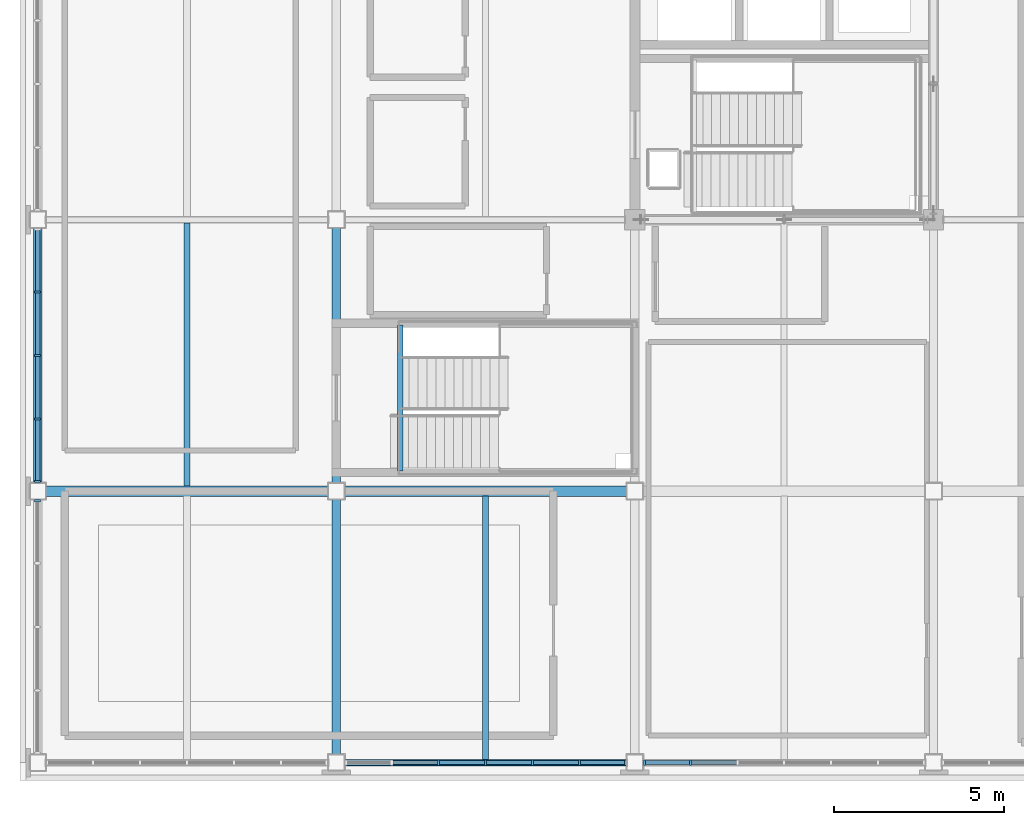
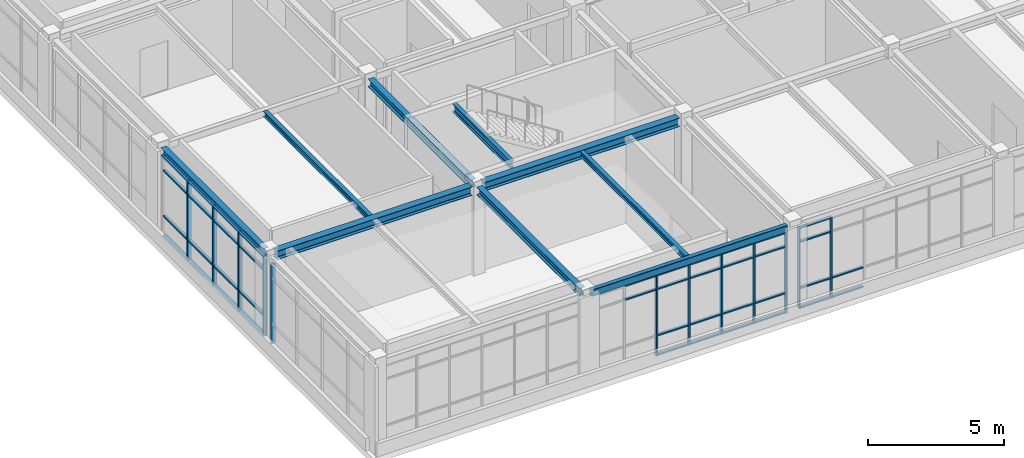
# One storey, part 5 of 45: 52 members, 9 beams, 4 elements without a shape of their own.
"""IFC4 building model written with IfcOpenShell, lengths in metres."""

from ifc_helpers import new_model, si_unit, direction, frame, origin, origin_2d, place, context, subcontext, project, spatial, rectangle, hollow_rectangle, i_section, extrude, material, material_profile, profile_set, type_object, element, aggregate, save


model = new_model("IFC4")

# Units and contexts
model_context = context("Model", 3, precision=1e-05, world=origin(), true_north=direction((0.0, 1.0)))
body_context = subcontext(model_context, "Body", "Model", "MODEL_VIEW")
ifc_project = project(units=[si_unit("LENGTHUNIT", "METRE"), si_unit("AREAUNIT", "SQUARE_METRE"), si_unit("VOLUMEUNIT", "CUBIC_METRE"), si_unit("PLANEANGLEUNIT", "RADIAN"), si_unit("MASSUNIT", "GRAM", prefix="KILO")], contexts=[model_context])

# Site, building, storey
site_placement = place(None, origin())
site = spatial("IfcSite", under=ifc_project, at=site_placement, CompositionType="ELEMENT")
building_placement = place(site_placement, origin())
building = spatial("IfcBuilding", under=site, at=building_placement, Name="Zhaolan Boulevard Law Courts", CompositionType="ELEMENT")
storey_placement = place(building_placement, frame((0.0, 0.0, 24.60009765625)))
storey = spatial("IfcBuildingStorey", under=building, at=storey_placement, Name="L05", CompositionType="ELEMENT", Elevation=24.60009765625)

# Curtain wall, members
ifc_material_1 = material(Name="Thermally broken aluminium and low-E glazing", Category="aluminium")
curtain_wall_type_1 = type_object("IfcCurtainWallType", Name="CURTAIN WALL M11", PredefinedType="USERDEFINED", material=ifc_material_1)
curtain_wall_1_placement = place(storey_placement, origin())
curtain_wall_1 = element("IfcCurtainWall", 1, at=curtain_wall_1_placement, inside=storey, type_object=curtain_wall_type_1, Name="Curtain Wall CW-L05-203", ObjectType="CURTAIN WALL", PredefinedType="USERDEFINED")
ifc_material_2 = material(Name="Fluorocarbon-coated aluminium 6063-T6", Category="aluminium")
ifc_material_profile_1 = material_profile(ifc_material_2, rectangle(XDim=0.159912109375, YDim=0.06005859375, at=origin_2d()), Name="AL60x160")
ifc_profile_set_1 = profile_set([ifc_material_profile_1], Name="Fluorocarbon-coated aluminium 6063-T6")
member_type_1 = type_object("IfcMemberType", Name="CWMULLION 60X160", PredefinedType="MULLION", material=ifc_profile_set_1)
member_1_placement = place(storey_placement, frame((11.8173828125, 30.0, 0.0), z_axis=(0.0, 0.0, 1.0), x_axis=(0.0, 1.0, 0.0)))
member_1 = element("IfcMember", 2, at=member_1_placement, type_object=member_type_1, Name="CW-L05-203 mullion 3", PredefinedType="MULLION", context=body_context, shape_type="SweptSolid", body=[
    extrude(rectangle(XDim=0.159912109375, YDim=0.06005859375, at=origin_2d()), origin(), (0.0, 0.0, 1.0), 3.6328125),
])
member_2_placement = place(storey_placement, frame((13.199951171875, 30.0, 0.0), z_axis=(0.0, 0.0, 1.0), x_axis=(0.0, 1.0, 0.0)))
member_2 = element("IfcMember", 3, at=member_2_placement, type_object=member_type_1, Name="CW-L05-203 mullion 4", PredefinedType="MULLION", context=body_context, shape_type="SweptSolid", body=[
    extrude(rectangle(XDim=0.159912109375, YDim=0.06005859375, at=origin_2d()), origin(), (0.0, 0.0, 1.0), 3.6328125),
])
member_3_placement = place(storey_placement, frame((14.582763671875, 30.0, 0.0), z_axis=(0.0, 0.0, 1.0), x_axis=(0.0, 1.0, 0.0)))
member_3 = element("IfcMember", 4, at=member_3_placement, type_object=member_type_1, Name="CW-L05-203 mullion 5", PredefinedType="MULLION", context=body_context, shape_type="SweptSolid", body=[
    extrude(rectangle(XDim=0.159912109375, YDim=0.06005859375, at=origin_2d()), origin(), (0.0, 0.0, 1.0), 3.6328125),
])
member_4_placement = place(storey_placement, frame((15.96533203125, 30.0, 0.0), z_axis=(0.0, 0.0, 1.0), x_axis=(0.0, 1.0, 0.0)))
member_4 = element("IfcMember", 5, at=member_4_placement, type_object=member_type_1, Name="CW-L05-203 mullion 6", PredefinedType="MULLION", context=body_context, shape_type="SweptSolid", body=[
    extrude(rectangle(XDim=0.159912109375, YDim=0.06005859375, at=origin_2d()), origin(), (0.0, 0.0, 1.0), 3.6328125),
])
member_5_placement = place(storey_placement, frame((17.318115234375, 30.0, 0.0), z_axis=(0.0, 0.0, 1.0), x_axis=(0.0, 1.0, 0.0)))
member_5 = element("IfcMember", 6, at=member_5_placement, type_object=member_type_1, Name="CW-L05-203 mullion 7", PredefinedType="MULLION", context=body_context, shape_type="SweptSolid", body=[
    extrude(rectangle(XDim=0.159912109375, YDim=0.06005859375, at=origin_2d()), origin(), (0.0, 0.0, 1.0), 3.6328125),
])

ifc_material_3 = material(Name="Thermally broken aluminium and low-E glazing", Category="aluminium")
curtain_wall_type_2 = type_object("IfcCurtainWallType", Name="CURTAIN WALL M12", PredefinedType="USERDEFINED", material=ifc_material_3)
curtain_wall_2_placement = place(storey_placement, origin())
curtain_wall_2 = element("IfcCurtainWall", 7, at=curtain_wall_2_placement, inside=storey, type_object=curtain_wall_type_2, Name="Curtain Wall CW-L05-204", ObjectType="CURTAIN WALL", PredefinedType="USERDEFINED")
member_6_placement = place(storey_placement, frame((17.882080078125, 30.0, 0.0), z_axis=(0.0, 0.0, 1.0), x_axis=(0.0, 1.0, 0.0)))
member_6 = element("IfcMember", 8, at=member_6_placement, type_object=member_type_1, Name="CW-L05-204 mullion 1", PredefinedType="MULLION", context=body_context, shape_type="SweptSolid", body=[
    extrude(rectangle(XDim=0.159912109375, YDim=0.06005859375, at=origin_2d()), origin(), (0.0, 0.0, 1.0), 3.6328125),
])
member_7_placement = place(storey_placement, frame((19.234619140625, 30.0, 0.0), z_axis=(0.0, 0.0, 1.0), x_axis=(0.0, 1.0, 0.0)))
member_7 = element("IfcMember", 9, at=member_7_placement, type_object=member_type_1, Name="CW-L05-204 mullion 2", PredefinedType="MULLION", context=body_context, shape_type="SweptSolid", body=[
    extrude(rectangle(XDim=0.159912109375, YDim=0.06005859375, at=origin_2d()), origin(), (0.0, 0.0, 1.0), 3.6328125),
])

# Curtain wall, member
ifc_material_4 = material(Name="Thermally broken aluminium and low-E glazing", Category="aluminium")
curtain_wall_type_3 = type_object("IfcCurtainWallType", Name="CURTAIN WALL M20", PredefinedType="USERDEFINED", material=ifc_material_4)
curtain_wall_3_placement = place(storey_placement, origin())
curtain_wall_3 = element("IfcCurtainWall", 10, at=curtain_wall_3_placement, inside=storey, type_object=curtain_wall_type_3, Name="Curtain Wall CW-L05-212", ObjectType="CURTAIN WALL", PredefinedType="USERDEFINED")
ifc_material_5 = material(Name="Fluorocarbon-coated aluminium 6063-T6", Category="aluminium")
ifc_material_profile_2 = material_profile(ifc_material_5, rectangle(XDim=0.179931640625, YDim=0.06494140625, at=origin_2d()), Name="AL65x180")
ifc_profile_set_2 = profile_set([ifc_material_profile_2], Name="Fluorocarbon-coated aluminium 6063-T6")
member_type_2 = type_object("IfcMemberType", Name="CWMULLION 65X180", PredefinedType="MULLION", material=ifc_profile_set_2)
member_8_placement = place(storey_placement, frame((0.0, 37.715576171875, 0.0), z_axis=(0.0, 0.0, 1.0), x_axis=(1.0, 0.0, 0.0)))
member_8 = element("IfcMember", 11, at=member_8_placement, type_object=member_type_2, Name="CW-L05-212 mullion 1", PredefinedType="MULLION", context=body_context, shape_type="SweptSolid", body=[
    extrude(rectangle(XDim=0.179931640625, YDim=0.06494140625, at=origin_2d()), origin(), (0.0, 0.0, 1.0), 3.593017578125),
])
aggregate(curtain_wall_3, [member_8])

# Curtain wall, members
ifc_material_6 = material(Name="Thermally broken aluminium and low-E glazing", Category="aluminium")
curtain_wall_type_4 = type_object("IfcCurtainWallType", Name="CURTAIN WALL M21", PredefinedType="USERDEFINED", material=ifc_material_6)
curtain_wall_4_placement = place(storey_placement, origin())
curtain_wall_4 = element("IfcCurtainWall", 12, at=curtain_wall_4_placement, inside=storey, type_object=curtain_wall_type_4, Name="Curtain Wall CW-L05-213", ObjectType="CURTAIN WALL", PredefinedType="USERDEFINED")
member_9_placement = place(storey_placement, frame((0.0, 43.8740234375, 0.0), z_axis=(0.0, 0.0, 1.0), x_axis=(1.0, 0.0, 0.0)))
member_9 = element("IfcMember", 13, at=member_9_placement, type_object=member_type_2, Name="CW-L05-213 mullion 2", PredefinedType="MULLION", context=body_context, shape_type="SweptSolid", body=[
    extrude(rectangle(XDim=0.179931640625, YDim=0.06494140625, at=origin_2d()), origin(), (0.0, 0.0, 1.0), 3.593017578125),
])
member_10_placement = place(storey_placement, frame((0.0, 42.0, 0.0), z_axis=(0.0, 0.0, 1.0), x_axis=(1.0, 0.0, 0.0)))
member_10 = element("IfcMember", 14, at=member_10_placement, type_object=member_type_2, Name="CW-L05-213 mullion 3", PredefinedType="MULLION", context=body_context, shape_type="SweptSolid", body=[
    extrude(rectangle(XDim=0.179931640625, YDim=0.06494140625, at=origin_2d()), origin(), (0.0, 0.0, 1.0), 3.593017578125),
])
member_11_placement = place(storey_placement, frame((0.0, 40.1259765625, 0.0), z_axis=(0.0, 0.0, 1.0), x_axis=(1.0, 0.0, 0.0)))
member_11 = element("IfcMember", 15, at=member_11_placement, type_object=member_type_2, Name="CW-L05-213 mullion 4", PredefinedType="MULLION", context=body_context, shape_type="SweptSolid", body=[
    extrude(rectangle(XDim=0.179931640625, YDim=0.06494140625, at=origin_2d()), origin(), (0.0, 0.0, 1.0), 3.593017578125),
])
member_12_placement = place(storey_placement, frame((0.0, 38.284423828125, 0.0), z_axis=(0.0, 0.0, 1.0), x_axis=(1.0, 0.0, 0.0)))
member_12 = element("IfcMember", 16, at=member_12_placement, type_object=member_type_2, Name="CW-L05-213 mullion 5", PredefinedType="MULLION", context=body_context, shape_type="SweptSolid", body=[
    extrude(rectangle(XDim=0.179931640625, YDim=0.06494140625, at=origin_2d()), origin(), (0.0, 0.0, 1.0), 3.593017578125),
])

# Member
ifc_material_7 = material(Name="Fluorocarbon-coated aluminium 6063-T6", Category="aluminium")
ifc_material_profile_3 = material_profile(ifc_material_7, rectangle(XDim=0.1201171875, YDim=0.06005859375, at=origin_2d()), Name="AL60x120")
ifc_profile_set_3 = profile_set([ifc_material_profile_3], Name="Fluorocarbon-coated aluminium 6063-T6")
member_type_3 = type_object("IfcMemberType", Name="CWTRANSOM 60X120", PredefinedType="USERDEFINED", material=ifc_profile_set_3)
member_13_placement = place(storey_placement, frame((10.464599609375, 30.0, 2.98291015625), z_axis=(1.0, 0.0, 0.0), x_axis=(0.0, 1.0, 0.0)))
member_13 = element("IfcMember", 17, at=member_13_placement, type_object=member_type_3, Name="CW-L05-203 transom 2.3", ObjectType="TRANSOM", PredefinedType="USERDEFINED", context=body_context, shape_type="SweptSolid", body=[
    extrude(rectangle(XDim=0.1201171875, YDim=0.06005859375, at=origin_2d()), origin(), (0.0, 0.0, 1.0), 1.32275390625),
])

member_14_placement = place(storey_placement, frame((10.464599609375, 30.0, 3.602783203125), z_axis=(1.0, 0.0, 0.0), x_axis=(0.0, 1.0, 0.0)))
member_14 = element("IfcMember", 18, at=member_14_placement, type_object=member_type_3, Name="CW-L05-203 transom 2.4", ObjectType="TRANSOM", PredefinedType="USERDEFINED", context=body_context, shape_type="SweptSolid", body=[
    extrude(rectangle(XDim=0.1201171875, YDim=0.06005859375, at=origin_2d()), origin(), (0.0, 0.0, 1.0), 1.32275390625),
])

member_15_placement = place(storey_placement, frame((11.847412109375, 30.0, 0.02978515625), z_axis=(1.0, 0.0, 0.0), x_axis=(0.0, 1.0, 0.0)))
member_15 = element("IfcMember", 19, at=member_15_placement, type_object=member_type_3, Name="CW-L05-203 transom 3.1", ObjectType="TRANSOM", PredefinedType="USERDEFINED", context=body_context, shape_type="SweptSolid", body=[
    extrude(rectangle(XDim=0.1201171875, YDim=0.06005859375, at=origin_2d()), origin(), (0.0, 0.0, 1.0), 1.322509765625),
])

member_16_placement = place(storey_placement, frame((11.847412109375, 30.0, 0.89990234375), z_axis=(1.0, 0.0, 0.0), x_axis=(0.0, 1.0, 0.0)))
member_16 = element("IfcMember", 20, at=member_16_placement, type_object=member_type_3, Name="CW-L05-203 transom 3.2", ObjectType="TRANSOM", PredefinedType="USERDEFINED", context=body_context, shape_type="SweptSolid", body=[
    extrude(rectangle(XDim=0.1201171875, YDim=0.06005859375, at=origin_2d()), origin(), (0.0, 0.0, 1.0), 1.322509765625),
])

member_17_placement = place(storey_placement, frame((11.847412109375, 30.0, 2.98291015625), z_axis=(1.0, 0.0, 0.0), x_axis=(0.0, 1.0, 0.0)))
member_17 = element("IfcMember", 21, at=member_17_placement, type_object=member_type_3, Name="CW-L05-203 transom 3.3", ObjectType="TRANSOM", PredefinedType="USERDEFINED", context=body_context, shape_type="SweptSolid", body=[
    extrude(rectangle(XDim=0.1201171875, YDim=0.06005859375, at=origin_2d()), origin(), (0.0, 0.0, 1.0), 1.322509765625),
])

member_18_placement = place(storey_placement, frame((11.847412109375, 30.0, 3.602783203125), z_axis=(1.0, 0.0, 0.0), x_axis=(0.0, 1.0, 0.0)))
member_18 = element("IfcMember", 22, at=member_18_placement, type_object=member_type_3, Name="CW-L05-203 transom 3.4", ObjectType="TRANSOM", PredefinedType="USERDEFINED", context=body_context, shape_type="SweptSolid", body=[
    extrude(rectangle(XDim=0.1201171875, YDim=0.06005859375, at=origin_2d()), origin(), (0.0, 0.0, 1.0), 1.322509765625),
])

member_19_placement = place(storey_placement, frame((13.22998046875, 30.0, 0.02978515625), z_axis=(1.0, 0.0, 0.0), x_axis=(0.0, 1.0, 0.0)))
member_19 = element("IfcMember", 23, at=member_19_placement, type_object=member_type_3, Name="CW-L05-203 transom 4.1", ObjectType="TRANSOM", PredefinedType="USERDEFINED", context=body_context, shape_type="SweptSolid", body=[
    extrude(rectangle(XDim=0.1201171875, YDim=0.06005859375, at=origin_2d()), origin(), (0.0, 0.0, 1.0), 1.32275390625),
])

member_20_placement = place(storey_placement, frame((13.22998046875, 30.0, 0.89990234375), z_axis=(1.0, 0.0, 0.0), x_axis=(0.0, 1.0, 0.0)))
member_20 = element("IfcMember", 24, at=member_20_placement, type_object=member_type_3, Name="CW-L05-203 transom 4.2", ObjectType="TRANSOM", PredefinedType="USERDEFINED", context=body_context, shape_type="SweptSolid", body=[
    extrude(rectangle(XDim=0.1201171875, YDim=0.06005859375, at=origin_2d()), origin(), (0.0, 0.0, 1.0), 1.32275390625),
])

member_21_placement = place(storey_placement, frame((13.22998046875, 30.0, 2.98291015625), z_axis=(1.0, 0.0, 0.0), x_axis=(0.0, 1.0, 0.0)))
member_21 = element("IfcMember", 25, at=member_21_placement, type_object=member_type_3, Name="CW-L05-203 transom 4.3", ObjectType="TRANSOM", PredefinedType="USERDEFINED", context=body_context, shape_type="SweptSolid", body=[
    extrude(rectangle(XDim=0.1201171875, YDim=0.06005859375, at=origin_2d()), origin(), (0.0, 0.0, 1.0), 1.32275390625),
])

member_22_placement = place(storey_placement, frame((13.22998046875, 30.0, 3.602783203125), z_axis=(1.0, 0.0, 0.0), x_axis=(0.0, 1.0, 0.0)))
member_22 = element("IfcMember", 26, at=member_22_placement, type_object=member_type_3, Name="CW-L05-203 transom 4.4", ObjectType="TRANSOM", PredefinedType="USERDEFINED", context=body_context, shape_type="SweptSolid", body=[
    extrude(rectangle(XDim=0.1201171875, YDim=0.06005859375, at=origin_2d()), origin(), (0.0, 0.0, 1.0), 1.32275390625),
])

member_23_placement = place(storey_placement, frame((14.612548828125, 30.0, 0.02978515625), z_axis=(1.0, 0.0, 0.0), x_axis=(0.0, 1.0, 0.0)))
member_23 = element("IfcMember", 27, at=member_23_placement, type_object=member_type_3, Name="CW-L05-203 transom 5.1", ObjectType="TRANSOM", PredefinedType="USERDEFINED", context=body_context, shape_type="SweptSolid", body=[
    extrude(rectangle(XDim=0.1201171875, YDim=0.06005859375, at=origin_2d()), origin(), (0.0, 0.0, 1.0), 1.32275390625),
])

member_24_placement = place(storey_placement, frame((14.612548828125, 30.0, 0.89990234375), z_axis=(1.0, 0.0, 0.0), x_axis=(0.0, 1.0, 0.0)))
member_24 = element("IfcMember", 28, at=member_24_placement, type_object=member_type_3, Name="CW-L05-203 transom 5.2", ObjectType="TRANSOM", PredefinedType="USERDEFINED", context=body_context, shape_type="SweptSolid", body=[
    extrude(rectangle(XDim=0.1201171875, YDim=0.06005859375, at=origin_2d()), origin(), (0.0, 0.0, 1.0), 1.32275390625),
])

member_25_placement = place(storey_placement, frame((14.612548828125, 30.0, 2.98291015625), z_axis=(1.0, 0.0, 0.0), x_axis=(0.0, 1.0, 0.0)))
member_25 = element("IfcMember", 29, at=member_25_placement, type_object=member_type_3, Name="CW-L05-203 transom 5.3", ObjectType="TRANSOM", PredefinedType="USERDEFINED", context=body_context, shape_type="SweptSolid", body=[
    extrude(rectangle(XDim=0.1201171875, YDim=0.06005859375, at=origin_2d()), origin(), (0.0, 0.0, 1.0), 1.32275390625),
])

member_26_placement = place(storey_placement, frame((14.612548828125, 30.0, 3.602783203125), z_axis=(1.0, 0.0, 0.0), x_axis=(0.0, 1.0, 0.0)))
member_26 = element("IfcMember", 30, at=member_26_placement, type_object=member_type_3, Name="CW-L05-203 transom 5.4", ObjectType="TRANSOM", PredefinedType="USERDEFINED", context=body_context, shape_type="SweptSolid", body=[
    extrude(rectangle(XDim=0.1201171875, YDim=0.06005859375, at=origin_2d()), origin(), (0.0, 0.0, 1.0), 1.32275390625),
])

member_27_placement = place(storey_placement, frame((15.995361328125, 30.0, 0.02978515625), z_axis=(1.0, 0.0, 0.0), x_axis=(0.0, 1.0, 0.0)))
member_27 = element("IfcMember", 31, at=member_27_placement, type_object=member_type_3, Name="CW-L05-203 transom 6.1", ObjectType="TRANSOM", PredefinedType="USERDEFINED", context=body_context, shape_type="SweptSolid", body=[
    extrude(rectangle(XDim=0.1201171875, YDim=0.06005859375, at=origin_2d()), origin(), (0.0, 0.0, 1.0), 1.292724609375),
])

member_28_placement = place(storey_placement, frame((15.995361328125, 30.0, 0.89990234375), z_axis=(1.0, 0.0, 0.0), x_axis=(0.0, 1.0, 0.0)))
member_28 = element("IfcMember", 32, at=member_28_placement, type_object=member_type_3, Name="CW-L05-203 transom 6.2", ObjectType="TRANSOM", PredefinedType="USERDEFINED", context=body_context, shape_type="SweptSolid", body=[
    extrude(rectangle(XDim=0.1201171875, YDim=0.06005859375, at=origin_2d()), origin(), (0.0, 0.0, 1.0), 1.292724609375),
])

member_29_placement = place(storey_placement, frame((15.995361328125, 30.0, 2.98291015625), z_axis=(1.0, 0.0, 0.0), x_axis=(0.0, 1.0, 0.0)))
member_29 = element("IfcMember", 33, at=member_29_placement, type_object=member_type_3, Name="CW-L05-203 transom 6.3", ObjectType="TRANSOM", PredefinedType="USERDEFINED", context=body_context, shape_type="SweptSolid", body=[
    extrude(rectangle(XDim=0.1201171875, YDim=0.06005859375, at=origin_2d()), origin(), (0.0, 0.0, 1.0), 1.292724609375),
])

member_30_placement = place(storey_placement, frame((15.995361328125, 30.0, 3.602783203125), z_axis=(1.0, 0.0, 0.0), x_axis=(0.0, 1.0, 0.0)))
member_30 = element("IfcMember", 34, at=member_30_placement, type_object=member_type_3, Name="CW-L05-203 transom 6.4", ObjectType="TRANSOM", PredefinedType="USERDEFINED", context=body_context, shape_type="SweptSolid", body=[
    extrude(rectangle(XDim=0.1201171875, YDim=0.06005859375, at=origin_2d()), origin(), (0.0, 0.0, 1.0), 1.292724609375),
])

aggregate(curtain_wall_1, [member_1, member_2, member_3, member_4, member_5, member_13, member_14, member_15, member_16, member_17, member_18, member_19, member_20, member_21, member_22, member_23, member_24, member_25, member_26, member_27, member_28, member_29, member_30])

member_31_placement = place(storey_placement, frame((17.912109375, 30.0, 0.02978515625), z_axis=(1.0, 0.0, 0.0), x_axis=(0.0, 1.0, 0.0)))
member_31 = element("IfcMember", 35, at=member_31_placement, type_object=member_type_3, Name="CW-L05-204 transom 1.1", ObjectType="TRANSOM", PredefinedType="USERDEFINED", context=body_context, shape_type="SweptSolid", body=[
    extrude(rectangle(XDim=0.1201171875, YDim=0.06005859375, at=origin_2d()), origin(), (0.0, 0.0, 1.0), 1.29248046875),
])

member_32_placement = place(storey_placement, frame((17.912109375, 30.0, 0.89990234375), z_axis=(1.0, 0.0, 0.0), x_axis=(0.0, 1.0, 0.0)))
member_32 = element("IfcMember", 36, at=member_32_placement, type_object=member_type_3, Name="CW-L05-204 transom 1.2", ObjectType="TRANSOM", PredefinedType="USERDEFINED", context=body_context, shape_type="SweptSolid", body=[
    extrude(rectangle(XDim=0.1201171875, YDim=0.06005859375, at=origin_2d()), origin(), (0.0, 0.0, 1.0), 1.29248046875),
])

member_33_placement = place(storey_placement, frame((17.912109375, 30.0, 2.98291015625), z_axis=(1.0, 0.0, 0.0), x_axis=(0.0, 1.0, 0.0)))
member_33 = element("IfcMember", 37, at=member_33_placement, type_object=member_type_3, Name="CW-L05-204 transom 1.3", ObjectType="TRANSOM", PredefinedType="USERDEFINED", context=body_context, shape_type="SweptSolid", body=[
    extrude(rectangle(XDim=0.1201171875, YDim=0.06005859375, at=origin_2d()), origin(), (0.0, 0.0, 1.0), 1.29248046875),
])

member_34_placement = place(storey_placement, frame((17.912109375, 30.0, 3.602783203125), z_axis=(1.0, 0.0, 0.0), x_axis=(0.0, 1.0, 0.0)))
member_34 = element("IfcMember", 38, at=member_34_placement, type_object=member_type_3, Name="CW-L05-204 transom 1.4", ObjectType="TRANSOM", PredefinedType="USERDEFINED", context=body_context, shape_type="SweptSolid", body=[
    extrude(rectangle(XDim=0.1201171875, YDim=0.06005859375, at=origin_2d()), origin(), (0.0, 0.0, 1.0), 1.29248046875),
])

member_35_placement = place(storey_placement, frame((19.2646484375, 30.0, 0.02978515625), z_axis=(1.0, 0.0, 0.0), x_axis=(0.0, 1.0, 0.0)))
member_35 = element("IfcMember", 39, at=member_35_placement, type_object=member_type_3, Name="CW-L05-204 transom 2.1", ObjectType="TRANSOM", PredefinedType="USERDEFINED", context=body_context, shape_type="SweptSolid", body=[
    extrude(rectangle(XDim=0.1201171875, YDim=0.06005859375, at=origin_2d()), origin(), (0.0, 0.0, 1.0), 1.32275390625),
])

member_36_placement = place(storey_placement, frame((19.2646484375, 30.0, 0.89990234375), z_axis=(1.0, 0.0, 0.0), x_axis=(0.0, 1.0, 0.0)))
member_36 = element("IfcMember", 40, at=member_36_placement, type_object=member_type_3, Name="CW-L05-204 transom 2.2", ObjectType="TRANSOM", PredefinedType="USERDEFINED", context=body_context, shape_type="SweptSolid", body=[
    extrude(rectangle(XDim=0.1201171875, YDim=0.06005859375, at=origin_2d()), origin(), (0.0, 0.0, 1.0), 1.32275390625),
])

aggregate(curtain_wall_2, [member_6, member_7, member_31, member_32, member_33, member_34, member_35, member_36])

ifc_material_8 = material(Name="Fluorocarbon-coated aluminium 6063-T6", Category="aluminium")
ifc_material_profile_4 = material_profile(ifc_material_8, rectangle(XDim=0.139892578125, YDim=0.06494140625, at=origin_2d()), Name="AL65x140")
ifc_profile_set_4 = profile_set([ifc_material_profile_4], Name="Fluorocarbon-coated aluminium 6063-T6")
member_type_4 = type_object("IfcMemberType", Name="CWTRANSOM 65X140", PredefinedType="USERDEFINED", material=ifc_profile_set_4)
member_37_placement = place(storey_placement, frame((0.0, 45.68310546875, 0.032470703125), z_axis=(0.0, -1.0, 0.0), x_axis=(1.0, 0.0, 0.0)))
member_37 = element("IfcMember", 41, at=member_37_placement, type_object=member_type_4, Name="CW-L05-213 transom 1.1", ObjectType="TRANSOM", PredefinedType="USERDEFINED", context=body_context, shape_type="SweptSolid", body=[
    extrude(rectangle(XDim=0.139892578125, YDim=0.06494140625, at=origin_2d()), origin(), (0.0, 0.0, 1.0), 1.776611328125),
])

member_38_placement = place(storey_placement, frame((0.0, 45.68310546875, 0.89990234375), z_axis=(0.0, -1.0, 0.0), x_axis=(1.0, 0.0, 0.0)))
member_38 = element("IfcMember", 42, at=member_38_placement, type_object=member_type_4, Name="CW-L05-213 transom 1.2", ObjectType="TRANSOM", PredefinedType="USERDEFINED", context=body_context, shape_type="SweptSolid", body=[
    extrude(rectangle(XDim=0.139892578125, YDim=0.06494140625, at=origin_2d()), origin(), (0.0, 0.0, 1.0), 1.776611328125),
])

member_39_placement = place(storey_placement, frame((0.0, 45.68310546875, 2.94287109375), z_axis=(0.0, -1.0, 0.0), x_axis=(1.0, 0.0, 0.0)))
member_39 = element("IfcMember", 43, at=member_39_placement, type_object=member_type_4, Name="CW-L05-213 transom 1.3", ObjectType="TRANSOM", PredefinedType="USERDEFINED", context=body_context, shape_type="SweptSolid", body=[
    extrude(rectangle(XDim=0.139892578125, YDim=0.06494140625, at=origin_2d()), origin(), (0.0, 0.0, 1.0), 1.776611328125),
])

member_40_placement = place(storey_placement, frame((0.0, 45.68310546875, 3.560302734375), z_axis=(0.0, -1.0, 0.0), x_axis=(1.0, 0.0, 0.0)))
member_40 = element("IfcMember", 44, at=member_40_placement, type_object=member_type_4, Name="CW-L05-213 transom 1.4", ObjectType="TRANSOM", PredefinedType="USERDEFINED", context=body_context, shape_type="SweptSolid", body=[
    extrude(rectangle(XDim=0.139892578125, YDim=0.06494140625, at=origin_2d()), origin(), (0.0, 0.0, 1.0), 1.776611328125),
])

member_41_placement = place(storey_placement, frame((0.0, 43.841552734375, 0.032470703125), z_axis=(0.0, -1.0, 0.0), x_axis=(1.0, 0.0, 0.0)))
member_41 = element("IfcMember", 45, at=member_41_placement, type_object=member_type_4, Name="CW-L05-213 transom 2.1", ObjectType="TRANSOM", PredefinedType="USERDEFINED", context=body_context, shape_type="SweptSolid", body=[
    extrude(rectangle(XDim=0.139892578125, YDim=0.06494140625, at=origin_2d()), origin(), (0.0, 0.0, 1.0), 1.80908203125),
])

member_42_placement = place(storey_placement, frame((0.0, 43.841552734375, 0.89990234375), z_axis=(0.0, -1.0, 0.0), x_axis=(1.0, 0.0, 0.0)))
member_42 = element("IfcMember", 46, at=member_42_placement, type_object=member_type_4, Name="CW-L05-213 transom 2.2", ObjectType="TRANSOM", PredefinedType="USERDEFINED", context=body_context, shape_type="SweptSolid", body=[
    extrude(rectangle(XDim=0.139892578125, YDim=0.06494140625, at=origin_2d()), origin(), (0.0, 0.0, 1.0), 1.80908203125),
])

member_43_placement = place(storey_placement, frame((0.0, 43.841552734375, 2.94287109375), z_axis=(0.0, -1.0, 0.0), x_axis=(1.0, 0.0, 0.0)))
member_43 = element("IfcMember", 47, at=member_43_placement, type_object=member_type_4, Name="CW-L05-213 transom 2.3", ObjectType="TRANSOM", PredefinedType="USERDEFINED", context=body_context, shape_type="SweptSolid", body=[
    extrude(rectangle(XDim=0.139892578125, YDim=0.06494140625, at=origin_2d()), origin(), (0.0, 0.0, 1.0), 1.80908203125),
])

member_44_placement = place(storey_placement, frame((0.0, 43.841552734375, 3.560302734375), z_axis=(0.0, -1.0, 0.0), x_axis=(1.0, 0.0, 0.0)))
member_44 = element("IfcMember", 48, at=member_44_placement, type_object=member_type_4, Name="CW-L05-213 transom 2.4", ObjectType="TRANSOM", PredefinedType="USERDEFINED", context=body_context, shape_type="SweptSolid", body=[
    extrude(rectangle(XDim=0.139892578125, YDim=0.06494140625, at=origin_2d()), origin(), (0.0, 0.0, 1.0), 1.80908203125),
])

member_45_placement = place(storey_placement, frame((0.0, 41.967529296875, 0.032470703125), z_axis=(0.0, -1.0, 0.0), x_axis=(1.0, 0.0, 0.0)))
member_45 = element("IfcMember", 49, at=member_45_placement, type_object=member_type_4, Name="CW-L05-213 transom 3.1", ObjectType="TRANSOM", PredefinedType="USERDEFINED", context=body_context, shape_type="SweptSolid", body=[
    extrude(rectangle(XDim=0.139892578125, YDim=0.06494140625, at=origin_2d()), origin(), (0.0, 0.0, 1.0), 1.80908203125),
])

member_46_placement = place(storey_placement, frame((0.0, 41.967529296875, 0.89990234375), z_axis=(0.0, -1.0, 0.0), x_axis=(1.0, 0.0, 0.0)))
member_46 = element("IfcMember", 50, at=member_46_placement, type_object=member_type_4, Name="CW-L05-213 transom 3.2", ObjectType="TRANSOM", PredefinedType="USERDEFINED", context=body_context, shape_type="SweptSolid", body=[
    extrude(rectangle(XDim=0.139892578125, YDim=0.06494140625, at=origin_2d()), origin(), (0.0, 0.0, 1.0), 1.80908203125),
])

member_47_placement = place(storey_placement, frame((0.0, 41.967529296875, 2.94287109375), z_axis=(0.0, -1.0, 0.0), x_axis=(1.0, 0.0, 0.0)))
member_47 = element("IfcMember", 51, at=member_47_placement, type_object=member_type_4, Name="CW-L05-213 transom 3.3", ObjectType="TRANSOM", PredefinedType="USERDEFINED", context=body_context, shape_type="SweptSolid", body=[
    extrude(rectangle(XDim=0.139892578125, YDim=0.06494140625, at=origin_2d()), origin(), (0.0, 0.0, 1.0), 1.80908203125),
])

member_48_placement = place(storey_placement, frame((0.0, 41.967529296875, 3.560302734375), z_axis=(0.0, -1.0, 0.0), x_axis=(1.0, 0.0, 0.0)))
member_48 = element("IfcMember", 52, at=member_48_placement, type_object=member_type_4, Name="CW-L05-213 transom 3.4", ObjectType="TRANSOM", PredefinedType="USERDEFINED", context=body_context, shape_type="SweptSolid", body=[
    extrude(rectangle(XDim=0.139892578125, YDim=0.06494140625, at=origin_2d()), origin(), (0.0, 0.0, 1.0), 1.80908203125),
])

member_49_placement = place(storey_placement, frame((0.0, 40.093505859375, 0.032470703125), z_axis=(0.0, -1.0, 0.0), x_axis=(1.0, 0.0, 0.0)))
member_49 = element("IfcMember", 53, at=member_49_placement, type_object=member_type_4, Name="CW-L05-213 transom 4.1", ObjectType="TRANSOM", PredefinedType="USERDEFINED", context=body_context, shape_type="SweptSolid", body=[
    extrude(rectangle(XDim=0.139892578125, YDim=0.06494140625, at=origin_2d()), origin(), (0.0, 0.0, 1.0), 1.776611328125),
])

member_50_placement = place(storey_placement, frame((0.0, 40.093505859375, 0.89990234375), z_axis=(0.0, -1.0, 0.0), x_axis=(1.0, 0.0, 0.0)))
member_50 = element("IfcMember", 54, at=member_50_placement, type_object=member_type_4, Name="CW-L05-213 transom 4.2", ObjectType="TRANSOM", PredefinedType="USERDEFINED", context=body_context, shape_type="SweptSolid", body=[
    extrude(rectangle(XDim=0.139892578125, YDim=0.06494140625, at=origin_2d()), origin(), (0.0, 0.0, 1.0), 1.776611328125),
])

member_51_placement = place(storey_placement, frame((0.0, 40.093505859375, 2.94287109375), z_axis=(0.0, -1.0, 0.0), x_axis=(1.0, 0.0, 0.0)))
member_51 = element("IfcMember", 55, at=member_51_placement, type_object=member_type_4, Name="CW-L05-213 transom 4.3", ObjectType="TRANSOM", PredefinedType="USERDEFINED", context=body_context, shape_type="SweptSolid", body=[
    extrude(rectangle(XDim=0.139892578125, YDim=0.06494140625, at=origin_2d()), origin(), (0.0, 0.0, 1.0), 1.776611328125),
])

member_52_placement = place(storey_placement, frame((0.0, 40.093505859375, 3.560302734375), z_axis=(0.0, -1.0, 0.0), x_axis=(1.0, 0.0, 0.0)))
member_52 = element("IfcMember", 56, at=member_52_placement, type_object=member_type_4, Name="CW-L05-213 transom 4.4", ObjectType="TRANSOM", PredefinedType="USERDEFINED", context=body_context, shape_type="SweptSolid", body=[
    extrude(rectangle(XDim=0.139892578125, YDim=0.06494140625, at=origin_2d()), origin(), (0.0, 0.0, 1.0), 1.776611328125),
])

aggregate(curtain_wall_4, [member_9, member_10, member_11, member_12, member_37, member_38, member_39, member_40, member_41, member_42, member_43, member_44, member_45, member_46, member_47, member_48, member_49, member_50, member_51, member_52])

# Beams
ifc_material_9 = material(Name="Structural steel Q355B", Category="steel")
ifc_material_profile_5 = material_profile(ifc_material_9, i_section(OverallWidth=0.25, OverallDepth=0.340087890625, WebThickness=0.009033203125, FlangeThickness=0.013916015625, FilletRadius=0.01611328125, at=origin_2d()), Name="HM340x250")
ifc_profile_set_5 = profile_set([ifc_material_profile_5], Name="Structural steel Q355B")
beam_type_1 = type_object("IfcBeamType", Name="GIRDER HM340", PredefinedType="BEAM", material=ifc_profile_set_5)
for number, where, z_axis, x_axis, name in (
    (57, (0.0, 38.24609375, 3.77783203125), (0.0, 1.0, 0.0), (-1.0, 0.0, 0.0), "Beam BY-L06-1-F-G"),
    (58, (8.800048828125, 30.24609375, 3.77783203125), (0.0, 1.0, 0.0), (-1.0, 0.0, 0.0), "Beam BY-L06-2-E-F"),
    (59, (8.800048828125, 38.24609375, 3.77783203125), (0.0, 1.0, 0.0), (-1.0, 0.0, 0.0), "Beam BY-L06-2-F-G"),
):
    element("IfcBeam", number, at=place(storey_placement, frame(where, z_axis=z_axis, x_axis=x_axis)), inside=storey, type_object=beam_type_1, Name=name, PredefinedType="BEAM", context=body_context, shape_type="SweptSolid", body=[
        extrude(i_section(OverallWidth=0.25, OverallDepth=0.340087890625, WebThickness=0.009033203125, FlangeThickness=0.013916015625, FilletRadius=0.01611328125, at=origin_2d()), origin(), (0.0, 0.0, 1.0), 7.5078125),
    ])
ifc_material_10 = material(Name="Structural steel Q355B", Category="steel")
ifc_material_profile_6 = material_profile(ifc_material_10, i_section(OverallWidth=0.300048828125, OverallDepth=0.389892578125, WebThickness=0.010009765625, FlangeThickness=0.01611328125, FilletRadius=0.01806640625, at=origin_2d()), Name="HM390x300")
ifc_profile_set_6 = profile_set([ifc_material_profile_6], Name="Structural steel Q355B")
beam_type_2 = type_object("IfcBeamType", Name="GIRDER HM390", PredefinedType="BEAM", material=ifc_profile_set_6)
beam_1_placement = place(storey_placement, frame((0.24609375, 38.0, 3.7529296875), z_axis=(1.0, 0.0, 0.0), x_axis=(0.0, 1.0, 0.0)))
element("IfcBeam", 60, at=beam_1_placement, inside=storey, type_object=beam_type_2, Name="Beam BX-L06-1-2-F", PredefinedType="BEAM", context=body_context, shape_type="SweptSolid", body=[
    extrude(i_section(OverallWidth=0.300048828125, OverallDepth=0.389892578125, WebThickness=0.010009765625, FlangeThickness=0.01611328125, FilletRadius=0.01806640625, at=origin_2d()), origin(), (0.0, 0.0, 1.0), 8.307861328125),
])
beam_2_placement = place(storey_placement, frame((9.0458984375, 38.0, 3.7529296875), z_axis=(1.0, 0.0, 0.0), x_axis=(0.0, 1.0, 0.0)))
element("IfcBeam", 61, at=beam_2_placement, inside=storey, type_object=beam_type_2, Name="Beam BX-L06-2-3-F", PredefinedType="BEAM", context=body_context, shape_type="SweptSolid", body=[
    extrude(i_section(OverallWidth=0.300048828125, OverallDepth=0.389892578125, WebThickness=0.010009765625, FlangeThickness=0.01611328125, FilletRadius=0.01806640625, at=origin_2d()), origin(), (0.0, 0.0, 1.0), 8.30810546875),
])
ifc_material_11 = material(Name="Structural steel Q355B", Category="steel")
ifc_material_profile_7 = material_profile(ifc_material_11, i_section(OverallWidth=0.175048828125, OverallDepth=0.243896484375, WebThickness=0.007080078125, FlangeThickness=0.010986328125, FilletRadius=0.012939453125, at=origin_2d()), Name="HM244x175")
ifc_profile_set_7 = profile_set([ifc_material_profile_7], Name="Structural steel Q355B")
beam_type_3 = type_object("IfcBeamType", Name="JOIST HM244", PredefinedType="JOIST", material=ifc_profile_set_7)
for number, where, z_axis, x_axis, name in (
    (62, (4.39990234375, 38.14599609375, 3.825927734375), (0.0, 1.0, 0.0), (-1.0, 0.0, 0.0), "Composite Joist J-L06-1F"),
    (63, (13.199951171875, 30.095947265625, 3.825927734375), (0.0, 1.0, 0.0), (-1.0, 0.0, 0.0), "Composite Joist J-L06-2E"),
):
    element("IfcBeam", number, at=place(storey_placement, frame(where, z_axis=z_axis, x_axis=x_axis)), inside=storey, type_object=beam_type_3, Name=name, PredefinedType="JOIST", context=body_context, shape_type="SweptSolid", body=[
        extrude(i_section(OverallWidth=0.175048828125, OverallDepth=0.243896484375, WebThickness=0.007080078125, FlangeThickness=0.010986328125, FilletRadius=0.012939453125, at=origin_2d()), origin(), (0.0, 0.0, 1.0), 7.758056640625),
    ])
ifc_material_12 = material(Name="Structural steel Q355B", Category="steel")
ifc_material_profile_8 = material_profile(ifc_material_12, hollow_rectangle(XDim=0.199951171875, YDim=0.300048828125, WallThickness=0.011962890625, InnerFilletRadius=0.011962890625, OuterFilletRadius=0.02392578125, at=origin_2d()), Name="HSS300x200x12")
ifc_profile_set_8 = profile_set([ifc_material_profile_8], Name="Structural steel Q355B")
beam_type_4 = type_object("IfcBeamType", Name="SPANDREL HSS300", PredefinedType="SPANDREL", material=ifc_profile_set_8)
beam_3_placement = place(storey_placement, frame((9.0458984375, 30.0, 3.7978515625), z_axis=(1.0, 0.0, 0.0), x_axis=(0.0, 1.0, 0.0)))
element("IfcBeam", 64, at=beam_3_placement, inside=storey, type_object=beam_type_4, Name="Beam BX-L06-2-3-E", PredefinedType="SPANDREL", context=body_context, shape_type="SweptSolid", body=[
    extrude(hollow_rectangle(XDim=0.199951171875, YDim=0.300048828125, WallThickness=0.011962890625, InnerFilletRadius=0.011962890625, OuterFilletRadius=0.02392578125, at=origin_2d()), origin(), (0.0, 0.0, 1.0), 8.30810546875),
])
ifc_material_13 = material(Name="Structural steel Q355B", Category="steel")
ifc_material_profile_9 = material_profile(ifc_material_13, i_section(OverallWidth=0.175048828125, OverallDepth=0.35009765625, WebThickness=0.007080078125, FlangeThickness=0.010986328125, FilletRadius=0.012939453125, at=origin_2d()), Name="HN350x175")
ifc_profile_set_9 = profile_set([ifc_material_profile_9], Name="Structural steel Q355B")
beam_type_5 = type_object("IfcBeamType", Name="STAIR TRIMMER HN350", PredefinedType="BEAM", material=ifc_profile_set_9)
beam_4_placement = place(storey_placement, frame((10.68505859375, 38.60009765625, 3.73486328125), z_axis=(0.0, 1.0, 0.0), x_axis=(-1.0, 0.0, 0.0)))
element("IfcBeam", 65, at=beam_4_placement, inside=storey, type_object=beam_type_5, Name="Stair Landing Trimmer Beam STB-ST03-L06", PredefinedType="BEAM", context=body_context, shape_type="SweptSolid", body=[
    extrude(i_section(OverallWidth=0.175048828125, OverallDepth=0.35009765625, WebThickness=0.007080078125, FlangeThickness=0.010986328125, FilletRadius=0.012939453125, at=origin_2d()), origin(), (0.0, 0.0, 1.0), 4.2998046875),
])

save(model, "model.ifc")
